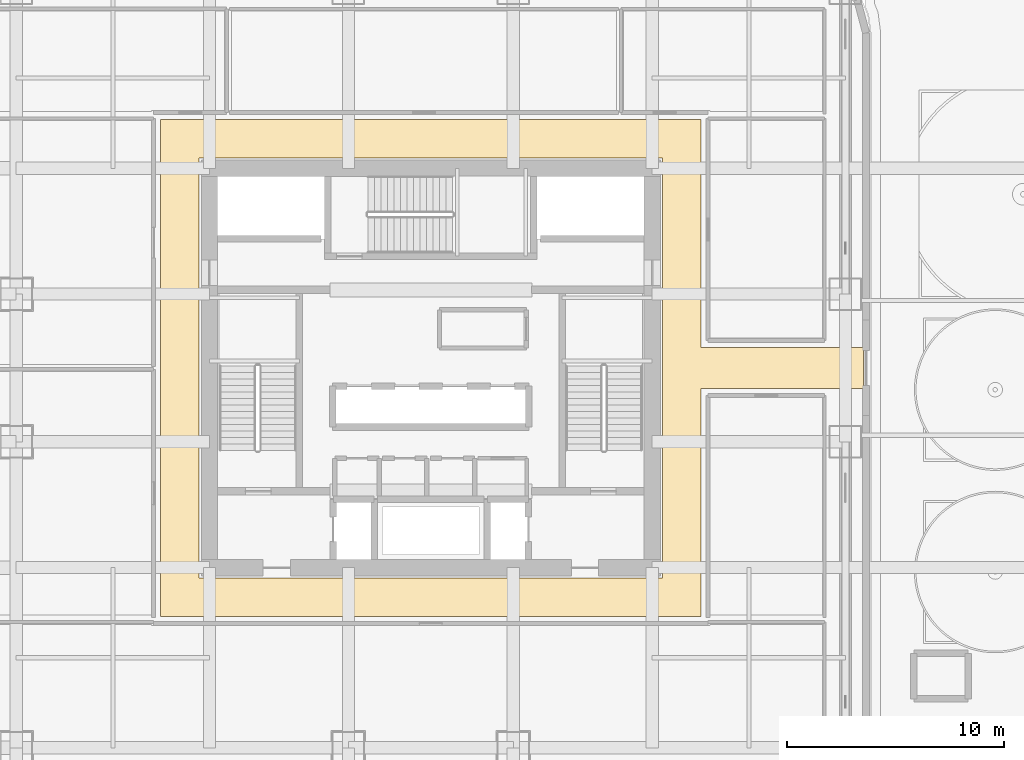
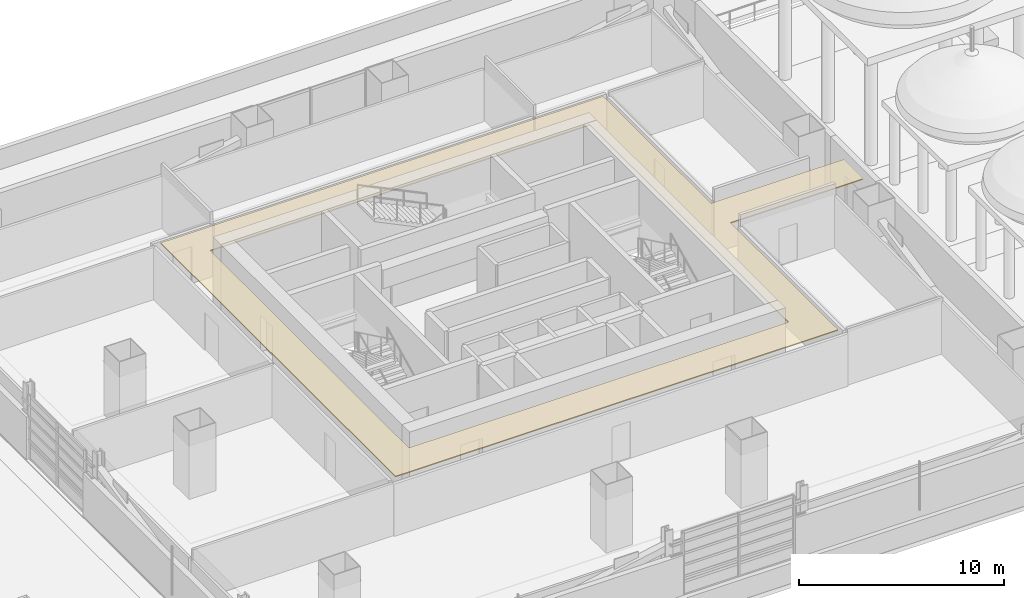
# One storey, part 25 of 30: 1 covering.
"""IFC4 building model written with IfcOpenShell, lengths in metres."""

import ifcopenshell
import ifcopenshell.guid

model = None  # the IFC model being written
_history = None  # IfcOwnerHistory: only IFC2X3 demands one
_inside = {}  # id of a spatial element -> (the spatial element, [elements in it])
_under = {}  # id of a project, library or spatial element -> (it, [spatial elements below it])
_declared = {}  # id of a project -> (the project, [libraries it declares])
_typed = {}  # id of a type object -> (the type object, [elements of that type])
_made_of = {}  # id of a material, layer set ... -> (it, [elements and type objects made of it])


def new_model(schema):
    """Start an empty IFC model of exactly this schema.

    Asked for "IFC4X3", IfcOpenShell would pick the latest addendum, in which some entities
    have other attributes; the version numbers below select the first issue.
    IFC2X3 requires an IfcOwnerHistory on every rooted entity: one is made here for all.
    """
    global model, _history
    if schema == "IFC4X3":
        model = ifcopenshell.file(schema_version=(4, 3, 0, 0))
    else:
        model = ifcopenshell.file(schema=schema)
    _inside.clear()
    _under.clear()
    _declared.clear()
    _typed.clear()
    _made_of.clear()
    _history = None
    if model.schema == "IFC2X3":
        org = make("IfcOrganization", Name="unknown")
        user = make(
            "IfcPersonAndOrganization",
            ThePerson=make("IfcPerson", FamilyName="unknown"),
            TheOrganization=org,
        )
        app = make(
            "IfcApplication",
            ApplicationDeveloper=org,
            Version="unknown",
            ApplicationFullName="unknown",
            ApplicationIdentifier="unknown",
        )
        _history = make(
            "IfcOwnerHistory",
            OwningUser=user,
            OwningApplication=app,
            ChangeAction="ADDED",
            CreationDate=0,
        )
    return model


def make(cls, **values):
    """One entity of the class cls with the attributes given. An attribute that is None is left unset."""
    return model.create_entity(
        cls, **{name: value for name, value in values.items() if value is not None}
    )


def rooted(cls, **values):
    """An entity with a GlobalId (a new one), such as an element, a storey or a relation."""
    return make(cls, GlobalId=ifcopenshell.guid.new(), OwnerHistory=_history, **values)


def si_unit(unit_type, name, prefix=None):
    """IfcSIUnit, for example si_unit("LENGTHUNIT", "METRE", prefix="MILLI")."""
    return make("IfcSIUnit", UnitType=unit_type, Prefix=prefix, Name=name)


def assignment(units):
    """IfcUnitAssignment: the units of a project."""
    return None if units is None else make("IfcUnitAssignment", Units=units)


def point(xyz):
    """IfcCartesianPoint."""
    return None if xyz is None else make("IfcCartesianPoint", Coordinates=xyz)


def direction(xyz):
    """IfcDirection."""
    return None if xyz is None else make("IfcDirection", DirectionRatios=xyz)


def frame(location, z_axis=None, x_axis=None):
    """IfcAxis2Placement3D, a coordinate frame: its origin and axes. An axis left out is left unset."""
    return make(
        "IfcAxis2Placement3D",
        Location=point(location),
        Axis=direction(z_axis),
        RefDirection=direction(x_axis),
    )


def origin():
    """The frame at (0, 0, 0) with its axes left unset."""
    return frame((0.0, 0.0, 0.0))


def place(relative_to, where):
    """IfcLocalPlacement: puts the frame where relative to a parent placement (None: the world)."""
    return make(
        "IfcLocalPlacement", PlacementRelTo=relative_to, RelativePlacement=where
    )


def context(
    kind, dimensions, precision=None, world=None, true_north=None, identifier=None
):
    """IfcGeometricRepresentationContext, for example the 3D "Model" context."""
    return make(
        "IfcGeometricRepresentationContext",
        ContextIdentifier=identifier,
        ContextType=kind,
        CoordinateSpaceDimension=dimensions,
        Precision=precision,
        WorldCoordinateSystem=world,
        TrueNorth=true_north,
    )


def subcontext(parent, identifier, kind, view, scale=None):
    """IfcGeometricRepresentationSubContext, for example "Body" below "Model"."""
    return make(
        "IfcGeometricRepresentationSubContext",
        ContextIdentifier=identifier,
        ContextType=kind,
        ParentContext=parent,
        TargetScale=scale,
        TargetView=view,
    )


def project(units=None, contexts=None):
    """IfcProject with its units and contexts."""
    return rooted(
        "IfcProject",
        Name="project",
        RepresentationContexts=contexts,
        UnitsInContext=assignment(units),
    )


def spatial(cls, under=None, at=None, **own):
    """A site, building, storey or space (cls), placed at a placement, below another one or the project."""
    s = rooted(cls, ObjectPlacement=at, **own)
    if under is not None:
        _under.setdefault(under.id(), (under, []))[1].append(s)
    return s


def polyline(points):
    """IfcPolyline through the points."""
    return make("IfcPolyline", Points=[point(p) for p in points])


def outline(outer, holes=None, kind="AREA"):
    """IfcArbitraryClosedProfileDef: a profile drawn as a closed curve; with holes, ...WithVoids."""
    if holes is None:
        return make("IfcArbitraryClosedProfileDef", ProfileType=kind, OuterCurve=outer)
    return make(
        "IfcArbitraryProfileDefWithVoids",
        ProfileType=kind,
        OuterCurve=outer,
        InnerCurves=holes,
    )


def extrude(swept, where, along, depth):
    """IfcExtrudedAreaSolid: the profile swept, set in the frame where, extruded along a direction by depth."""
    return make(
        "IfcExtrudedAreaSolid",
        SweptArea=swept,
        Position=where,
        ExtrudedDirection=direction(along),
        Depth=depth,
    )


def shape(context_of_items, identifier, shape_type, items):
    """IfcShapeRepresentation: the items that make up one representation, for example the "Body"."""
    return make(
        "IfcShapeRepresentation",
        ContextOfItems=context_of_items,
        RepresentationIdentifier=identifier,
        RepresentationType=shape_type,
        Items=items,
    )


def material(Name=None, Category=None):
    """IfcMaterial."""
    return make("IfcMaterial", Name=Name, Category=Category)


def layer(
    of_material, thickness, ventilated=None, Name=None, Category=None, Priority=None
):
    """IfcMaterialLayer: one layer of a wall or slab, of a material (None: an air gap)."""
    return make(
        "IfcMaterialLayer",
        Material=of_material,
        LayerThickness=thickness,
        IsVentilated=ventilated,
        Name=Name,
        Category=Category,
        Priority=Priority,
    )


def layer_set(layers, Name=None):
    """IfcMaterialLayerSet."""
    return make("IfcMaterialLayerSet", MaterialLayers=layers, LayerSetName=Name)


def made_of(thing, what):
    """Note that an element or type object is made of a material, layer set ...; save() writes the relation."""
    if what is not None:
        _made_of.setdefault(what.id(), (what, []))[1].append(thing)
    return thing


def type_object(cls, material=None, **own):
    """A type object (cls), such as IfcWallType, which elements share."""
    return made_of(rooted(cls, **own), material)


def element(
    cls,
    number,
    at=None,
    inside=None,
    cuts=None,
    type_object=None,
    material=None,
    context=None,
    identifier="Body",
    shape_type=None,
    held_by="IfcProductDefinitionShape",
    body=None,
    shapes=None,
    **own,
):
    """One element of the class cls, such as IfcWall. Its Tag is "e" and its number.

    at: its placement. inside: the storey or other place that contains it. cuts: it is an
    opening in that element (IfcRelVoidsElement). A single representation is given by context,
    identifier, shape_type and body (its items); several are given by shapes. held_by: the class
    of the entity that holds the representations. save() writes the other relations.
    """
    e = rooted(cls, Tag="e%d" % number, ObjectPlacement=at, **own)
    if body is not None:
        shapes = [shape(context, identifier, shape_type, body)]
    if shapes is not None:
        e.Representation = make(held_by, Representations=shapes)
    if inside is not None:
        _inside.setdefault(inside.id(), (inside, []))[1].append(e)
    if cuts is not None:
        rooted(
            "IfcRelVoidsElement", RelatingBuildingElement=cuts, RelatedOpeningElement=e
        )
    if type_object is not None:
        _typed.setdefault(type_object.id(), (type_object, []))[1].append(e)
    return made_of(e, material)


def aggregate(whole, parts):
    """IfcRelAggregates: a whole, such as a stair, and the parts it consists of."""
    return rooted("IfcRelAggregates", RelatingObject=whole, RelatedObjects=parts)


def save(model, path):
    """Write the relations noted so far, then the file.

    IfcRelAggregates (storeys below a building ...), IfcRelContainedInSpatialStructure (elements
    in a storey), IfcRelDefinesByType, IfcRelAssociatesMaterial and IfcRelDeclares: one each for
    every whole, place, type object, material and project.
    """
    for whole, parts in _under.values():
        aggregate(whole, parts)
    for where, things in _inside.values():
        rooted(
            "IfcRelContainedInSpatialStructure",
            RelatedElements=things,
            RelatingStructure=where,
        )
    for kind, things in _typed.values():
        rooted("IfcRelDefinesByType", RelatedObjects=things, RelatingType=kind)
    for what, things in _made_of.values():
        rooted("IfcRelAssociatesMaterial", RelatedObjects=things, RelatingMaterial=what)
    for by, libraries in _declared.values():
        rooted("IfcRelDeclares", RelatingContext=by, RelatedDefinitions=libraries)
    model.write(path)


model = new_model("IFC4")

# Units and contexts
model_context = context("Model", 3, precision=1e-05, world=origin(), true_north=direction((0.0, 1.0)))
body_context = subcontext(model_context, "Body", "Model", "MODEL_VIEW")
ifc_project = project(units=[si_unit("LENGTHUNIT", "METRE"), si_unit("AREAUNIT", "SQUARE_METRE"), si_unit("VOLUMEUNIT", "CUBIC_METRE"), si_unit("PLANEANGLEUNIT", "RADIAN"), si_unit("MASSUNIT", "GRAM", prefix="KILO")], contexts=[model_context])

# Site, building, storey
site_placement = place(None, origin())
site = spatial("IfcSite", under=ifc_project, at=site_placement, CompositionType="ELEMENT")
building_placement = place(site_placement, origin())
building = spatial("IfcBuilding", under=site, at=building_placement, Name="Punatoya Terracotta Tower", CompositionType="ELEMENT")
storey_placement = place(building_placement, frame((0.0, 0.0, 28.199951171875)))
storey = spatial("IfcBuildingStorey", under=building, at=storey_placement, Name="L05", CompositionType="ELEMENT", Elevation=28.199951171875)

# Covering
ifc_material = material(Name="Acoustic Mineral Fibre Ceiling")
ifc_layer = layer(ifc_material, 0.06005859375)
ifc_layer_set = layer_set([ifc_layer], Name="Acoustic Mineral Fibre Ceiling")
covering_type = type_object("IfcCoveringType", Name="COV-CEIL-60", PredefinedType="CEILING", material=ifc_layer_set)
covering_placement = place(storey_placement, frame((0.0, 0.0, 3.16015625)))
element("IfcCovering", 1, at=covering_placement, inside=storey, type_object=covering_type, Name="L05 Ring Circulation Corridor Acoustic Ceiling", PredefinedType="CEILING", context=body_context, shape_type="SweptSolid", body=[
    extrude(outline(polyline([(12.449951171875, -0.949951171875), (19.929931640625, -0.949951171875), (19.929931640625, 0.949951171875), (12.449951171875, 0.949951171875), (12.449951171875, 11.449951171875), (-12.449951171875, 11.449951171875), (-12.449951171875, -11.449951171875), (12.449951171875, -11.449951171875), (12.449951171875, -0.949951171875)]), holes=[polyline([(-10.679931640625, -9.679931640625), (-10.679931640625, 9.679931640625), (10.679931640625, 9.679931640625), (10.679931640625, -9.679931640625), (-10.679931640625, -9.679931640625)])]), origin(), (0.0, 0.0, 1.0), 0.059814453125),
])

save(model, "model.ifc")
